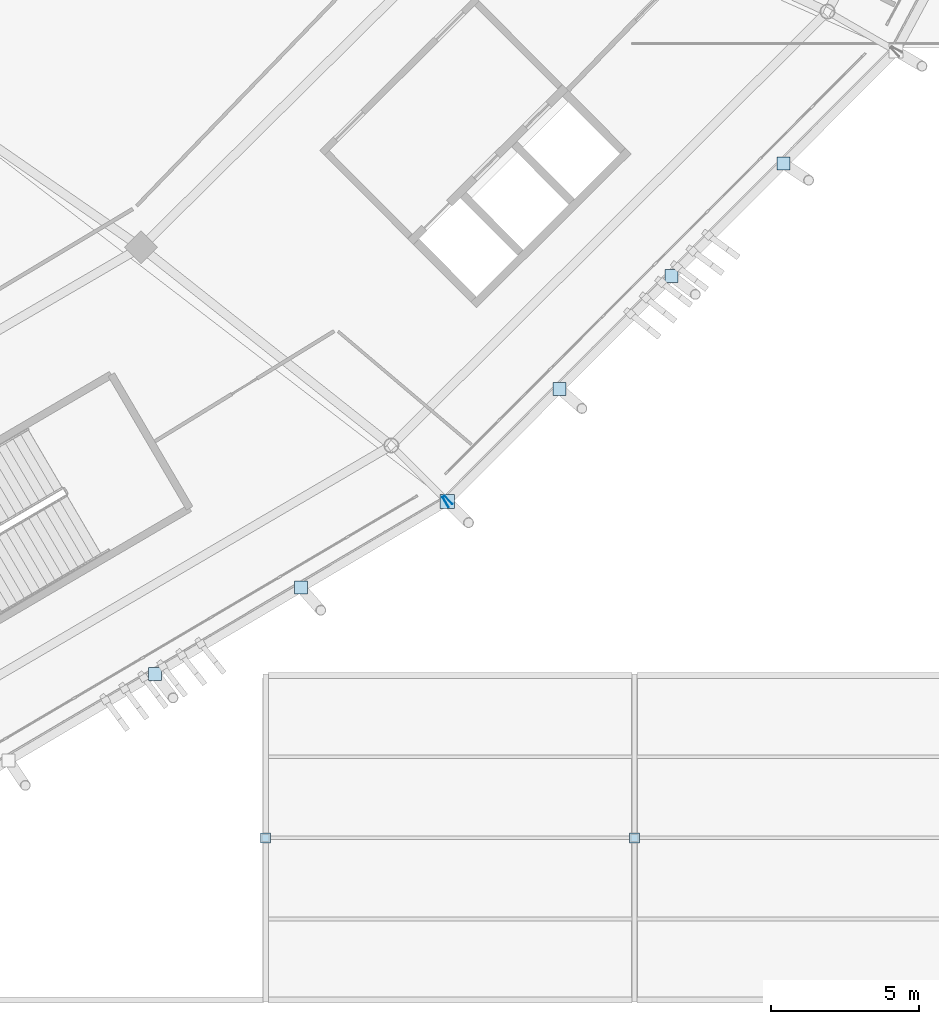
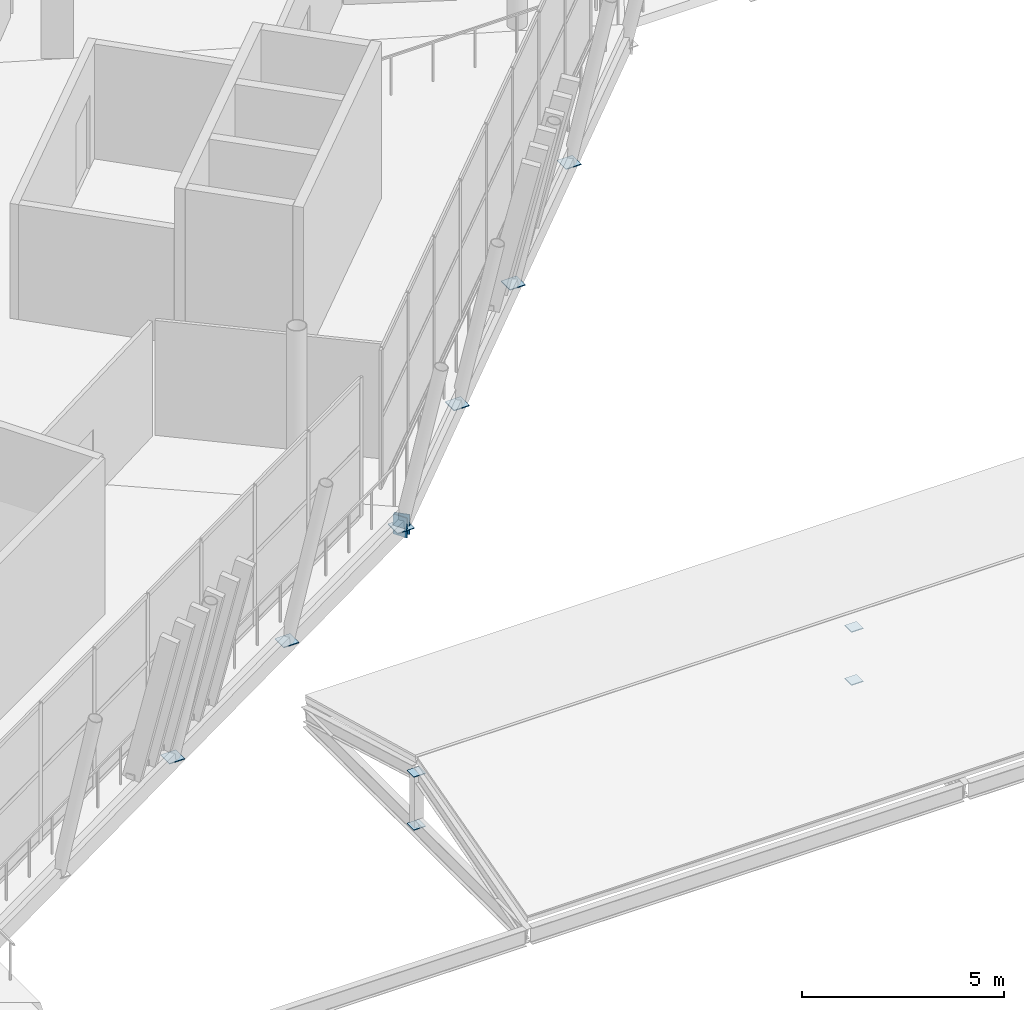
# One storey, part 111 of 179: 12 plates.
"""IFC4 building model written with IfcOpenShell, lengths in metres."""

from ifc_helpers import new_model, si_unit, direction, frame, origin, origin_2d, place, context, subcontext, project, spatial, rectangle, extrude, material, layer, layer_set, type_object, element, save


model = new_model("IFC4")

# Units and contexts
model_context = context("Model", 3, precision=1e-05, world=origin(), true_north=direction((0.0, 1.0)))
body_context = subcontext(model_context, "Body", "Model", "MODEL_VIEW")
ifc_project = project(units=[si_unit("LENGTHUNIT", "METRE"), si_unit("AREAUNIT", "SQUARE_METRE"), si_unit("VOLUMEUNIT", "CUBIC_METRE"), si_unit("PLANEANGLEUNIT", "RADIAN"), si_unit("MASSUNIT", "GRAM", prefix="KILO")], contexts=[model_context])

# Site, building, storey
site_placement = place(None, origin())
site = spatial("IfcSite", under=ifc_project, at=site_placement, CompositionType="ELEMENT")
building_placement = place(site_placement, origin())
building = spatial("IfcBuilding", under=site, at=building_placement, Name="Zlatoyarsky Gate Stadium", CompositionType="ELEMENT")
storey_placement = place(building_placement, frame((0.0, 0.0, 10.60009765625)))
storey = spatial("IfcBuildingStorey", under=building, at=storey_placement, Name="L02", CompositionType="ELEMENT", Elevation=10.60009765625)

# Plates
ifc_material = material(Name="Steel S355", Category="steel")
ifc_layer = layer(ifc_material, 0.02392578125)
ifc_layer_set = layer_set([ifc_layer], Name="Steel S355")
plate_type = type_object("IfcPlateType", Name="STEEL HOLLOW CHORD SPLICE SHEET 24", PredefinedType="SHEET", material=ifc_layer_set)
for number, where, z_axis, x_axis, name in (
    (1, (178.601318359375, 27.872802734375, -0.830078125), (0.0, 0.0, 1.0), (0.86093457238, 0.508715698678, 0.0), "Hollow end cap ND-SP1 CAP-L02-SPD-20 B"),
    (2, (178.695556640625, 27.94580078125, -0.830078125), (0.0, 0.0, 1.0), (0.705852241353, 0.70835909917, 0.0), "Hollow end cap ND-SP1 CAP-L02-SPD-21 A"),
):
    element("IfcPlate", number, at=place(storey_placement, frame(where, z_axis=z_axis, x_axis=x_axis)), inside=storey, type_object=plate_type, Name=name, PredefinedType="SHEET", context=body_context, shape_type="SweptSolid", body=[
        extrude(rectangle(XDim=0.02392578125, YDim=0.39990234375, at=origin_2d()), origin(), (0.0, 0.0, 1.0), 0.60009765625),
    ])
plate_placement = place(storey_placement, frame((178.653076171875, 27.9033203125, -0.592041015625), z_axis=(0.0, 0.0, 1.0), x_axis=(1.0, 0.0, 0.0)))
element("IfcPlate", 3, at=plate_placement, inside=storey, type_object=plate_type, Name="Node closure plate ND-SP1 NCAP-L02-RSTR-21", PredefinedType="SHEET", context=body_context, shape_type="SweptSolid", body=[
    extrude(rectangle(XDim=0.47998046875, YDim=0.47998046875, at=origin_2d()), origin(), (0.0, 0.0, 1.0), 0.02392578125),
])
for number, where, z_axis, x_axis, name in (
    (4, (168.74560546875, 22.049072265625, -0.5419921875), (0.0, 0.0, 1.0), (1.0, 0.0, 0.0), "Node closure plate ND-SP1 NCAP-RIB-20-2-0T"),
    (5, (173.69921875, 24.976318359375, -0.5419921875), (0.0, 0.0, 1.0), (1.0, 0.0, 0.0), "Node closure plate ND-SP1 NCAP-RIB-20-3-0T"),
    (6, (182.454345703125, 31.718017578125, -0.5419921875), (0.0, 0.0, 1.0), (1.0, 0.0, 0.0), "Node closure plate ND-SP1 NCAP-RIB-21-1-0T"),
    (7, (186.25537109375, 35.53271484375, -0.5419921875), (0.0, 0.0, 1.0), (1.0, 0.0, 0.0), "Node closure plate ND-SP1 NCAP-RIB-21-2-0T"),
    (8, (190.056640625, 39.347412109375, -0.5419921875), (0.0, 0.0, 1.0), (1.0, 0.0, 0.0), "Node closure plate ND-SP1 NCAP-RIB-21-3-0T"),
):
    element("IfcPlate", number, at=place(storey_placement, frame(where, z_axis=z_axis, x_axis=x_axis)), inside=storey, type_object=plate_type, Name=name, PredefinedType="SHEET", context=body_context, shape_type="SweptSolid", body=[
        extrude(rectangle(XDim=0.43994140625, YDim=0.43994140625, at=origin_2d()), origin(), (0.0, 0.0, 1.0), 0.02392578125),
    ])
for number, where, z_axis, x_axis, name in (
    (9, (172.5, 16.5, -0.5419921875), (0.0, 0.0, 1.0), (1.0, 0.0, 0.0), "Node closure plate ND-SP1 NCAP-KP-V6_SE-1A"),
    (10, (172.5, 16.5, 1.057861328125), (0.0, 0.0, 1.0), (1.0, 0.0, 0.0), "Node closure plate ND-SP1 NCAP-KP-V6_SE-1B"),
    (11, (185.0, 16.5, -0.5419921875), (0.0, 0.0, 1.0), (1.0, 0.0, 0.0), "Node closure plate ND-SP1 NCAP-KP-V6_SE-2A"),
    (12, (185.0, 16.5, 1.057861328125), (0.0, 0.0, 1.0), (1.0, 0.0, 0.0), "Node closure plate ND-SP1 NCAP-KP-V6_SE-2B"),
):
    element("IfcPlate", number, at=place(storey_placement, frame(where, z_axis=z_axis, x_axis=x_axis)), inside=storey, type_object=plate_type, Name=name, PredefinedType="SHEET", context=body_context, shape_type="SweptSolid", body=[
        extrude(rectangle(XDim=0.340087890625, YDim=0.340087890625, at=origin_2d()), origin(), (0.0, 0.0, 1.0), 0.02392578125),
    ])

save(model, "model.ifc")
